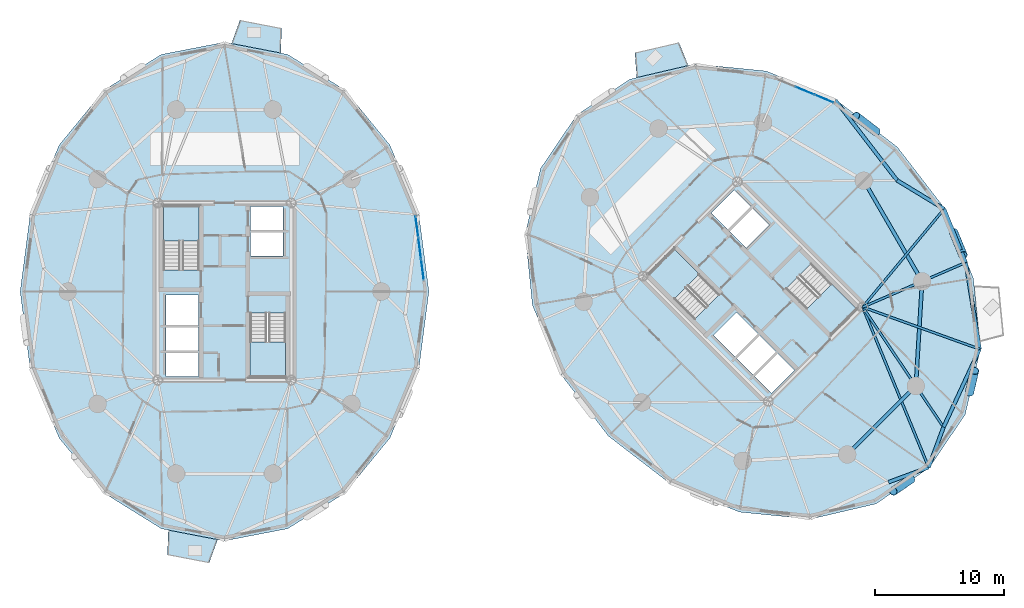
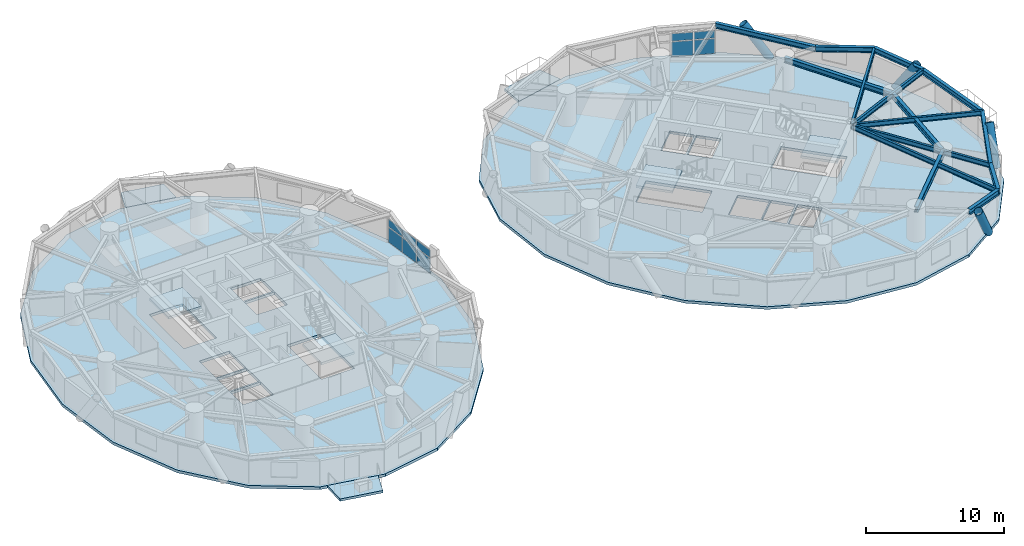
# One storey, part 7 of 17: 15 beams, 10 plates, 9 slabs, 4 members, 6 elements without a shape of their own.
"""IFC4 building model written with IfcOpenShell, lengths in metres."""

from ifc_helpers import new_model, si_unit, direction, frame, origin, origin_2d, place, context, subcontext, project, spatial, polyline, rectangle, hollow_circle, i_section, outline, extrude, source, transform, mapped, material, layer, layer_set, material_profile, profile_set, type_object, element, aggregate, save


model = new_model("IFC4")

# Units and contexts
model_context = context("Model", 3, precision=1e-05, world=origin(), true_north=direction((0.0, 1.0)))
body_context = subcontext(model_context, "Body", "Model", "MODEL_VIEW")
ifc_project = project(units=[si_unit("LENGTHUNIT", "METRE"), si_unit("AREAUNIT", "SQUARE_METRE"), si_unit("VOLUMEUNIT", "CUBIC_METRE"), si_unit("PLANEANGLEUNIT", "RADIAN"), si_unit("MASSUNIT", "GRAM", prefix="KILO")], contexts=[model_context])

# Site, building, storey
site_placement = place(None, origin())
site = spatial("IfcSite", under=ifc_project, at=site_placement, CompositionType="ELEMENT")
building_placement = place(site_placement, origin())
building = spatial("IfcBuilding", under=site, at=building_placement, Name="Cununo Teusaquillo Station Towers", CompositionType="ELEMENT")
storey_placement = place(building_placement, frame((0.0, 0.0, 96.340087890625)))
storey = spatial("IfcBuildingStorey", under=building, at=storey_placement, Name="L30", CompositionType="ELEMENT", Elevation=96.340087890625)

# Beams
ifc_material_1 = material(Name="Steel ASTM A572 Grade 50", Category="steel")
ifc_material_profile_1 = material_profile(ifc_material_1, i_section(OverallWidth=0.180908203125, OverallDepth=0.4169921875, WebThickness=0.010986328125, FlangeThickness=0.018310546875, FilletRadius=0.012939453125, at=origin_2d()), Name="W16X57")
ifc_profile_set_1 = profile_set([ifc_material_profile_1], Name="Steel ASTM A572 Grade 50")
beam_type_1 = type_object("IfcBeamType", Name="BM-JOIST-1", PredefinedType="JOIST", material=ifc_profile_set_1)
beam_1_placement = place(storey_placement, frame((66.024169921875, 23.29443359375, 2.46142578125), z_axis=(0.380485864505, -0.924786735908, 0.0), x_axis=(0.924786735908, 0.380485864505, 0.0)))
element("IfcBeam", 1, at=beam_1_placement, inside=storey, type_object=beam_type_1, Name="L30 Tower B Radial Spandrel Joist V15", PredefinedType="JOIST", context=body_context, shape_type="SweptSolid", body=[
    extrude(i_section(OverallWidth=0.180908203125, OverallDepth=0.4169921875, WebThickness=0.010986328125, FlangeThickness=0.018310546875, FilletRadius=0.012939453125, at=origin_2d()), origin(), (0.0, 0.0, 1.0), 13.44580078125),
])
beam_2_placement = place(storey_placement, frame((66.024169921875, 23.29443359375, 2.46142578125), z_axis=(0.941082771055, -0.338176312038, 0.0), x_axis=(0.338176312038, 0.941082771055, 0.0)))
element("IfcBeam", 2, at=beam_2_placement, inside=storey, type_object=beam_type_1, Name="L30 Tower B Radial Spandrel Joist V17", PredefinedType="JOIST", context=body_context, shape_type="SweptSolid", body=[
    extrude(i_section(OverallWidth=0.180908203125, OverallDepth=0.4169921875, WebThickness=0.010986328125, FlangeThickness=0.018310546875, FilletRadius=0.012939453125, at=origin_2d()), origin(), (0.0, 0.0, 1.0), 9.646484375),
])
beam_3_placement = place(storey_placement, frame((66.024169921875, 23.29443359375, 2.46142578125), z_axis=(0.638372238196, 0.769727799615, 0.0), x_axis=(-0.769727799615, 0.638372238196, 0.0)))
element("IfcBeam", 3, at=beam_3_placement, inside=storey, type_object=beam_type_1, Name="L30 Tower B Radial Spandrel Joist V19", PredefinedType="JOIST", context=body_context, shape_type="SweptSolid", body=[
    extrude(i_section(OverallWidth=0.180908203125, OverallDepth=0.4169921875, WebThickness=0.010986328125, FlangeThickness=0.018310546875, FilletRadius=0.012939453125, at=origin_2d()), origin(), (0.0, 0.0, 1.0), 9.895263671875),
])
ifc_material_2 = material(Name="Steel ASTM A572 Grade 50", Category="steel")
ifc_material_profile_2 = material_profile(ifc_material_2, i_section(OverallWidth=0.180908203125, OverallDepth=0.4169921875, WebThickness=0.010986328125, FlangeThickness=0.018310546875, FilletRadius=0.012939453125, at=origin_2d()), Name="W16X57")
ifc_profile_set_2 = profile_set([ifc_material_profile_2], Name="Steel ASTM A572 Grade 50")
beam_type_2 = type_object("IfcBeamType", Name="BM-RAD-G2", PredefinedType="BEAM", material=ifc_profile_set_2)
beam_4_placement = place(storey_placement, frame((66.024169921875, 23.29443359375, 2.46142578125), z_axis=(0.558572297481, -0.82945583878, 0.0), x_axis=(0.82945583878, 0.558572297481, 0.0)))
element("IfcBeam", 4, at=beam_4_placement, inside=storey, type_object=beam_type_2, Name="L30 Tower B Continuous Overhanging Radial Girder 09", PredefinedType="BEAM", context=body_context, shape_type="SweptSolid", body=[
    extrude(i_section(OverallWidth=0.180908203125, OverallDepth=0.4169921875, WebThickness=0.010986328125, FlangeThickness=0.018310546875, FilletRadius=0.012939453125, at=origin_2d()), origin(), (0.0, 0.0, 1.0), 11.22998046875),
])
beam_5_placement = place(storey_placement, frame((66.024169921875, 23.29443359375, 2.46142578125), z_axis=(0.917654733344, 0.397378648609, 0.0), x_axis=(-0.397378648609, 0.917654733344, 0.0)))
element("IfcBeam", 5, at=beam_5_placement, inside=storey, type_object=beam_type_2, Name="L30 Tower B Continuous Overhanging Radial Girder 10", PredefinedType="BEAM", context=body_context, shape_type="SweptSolid", body=[
    extrude(i_section(OverallWidth=0.180908203125, OverallDepth=0.4169921875, WebThickness=0.010986328125, FlangeThickness=0.018310546875, FilletRadius=0.012939453125, at=origin_2d()), origin(), (0.0, 0.0, 1.0), 8.71484375),
])
ifc_material_3 = material(Name="Steel ASTM A572 Grade 50", Category="steel")
ifc_material_profile_3 = material_profile(ifc_material_3, i_section(OverallWidth=0.280029296875, OverallDepth=0.462890625, WebThickness=0.0107421875, FlangeThickness=0.017333984375, FilletRadius=0.013916015625, at=origin_2d()), Name="W18X76")
ifc_profile_set_3 = profile_set([ifc_material_profile_3], Name="Steel ASTM A572 Grade 50")
beam_type_3 = type_object("IfcBeamType", Name="BM-RING-Z2", PredefinedType="SPANDREL", material=ifc_profile_set_3)
beam_6_placement = place(storey_placement, frame((64.826904296875, 11.853759765625, 2.4384765625), z_axis=(0.707106781187, 0.707106781187, 0.0), x_axis=(-0.707106781187, 0.707106781187, 0.0)))
element("IfcBeam", 6, at=beam_6_placement, inside=storey, type_object=beam_type_3, Name="L30 Tower B Structural Column Ring Girder 08", PredefinedType="SPANDREL", context=body_context, shape_type="SweptSolid", body=[
    extrude(i_section(OverallWidth=0.280029296875, OverallDepth=0.462890625, WebThickness=0.0107421875, FlangeThickness=0.017333984375, FilletRadius=0.013916015625, at=origin_2d()), origin(), (0.0, 0.0, 1.0), 7.522705078125),
])
beam_7_placement = place(storey_placement, frame((70.146240234375, 17.173095703125, 2.4384765625), z_axis=(0.06012979176, 0.998190567048, 0.0), x_axis=(-0.998190567048, 0.06012979176, 0.0)))
element("IfcBeam", 7, at=beam_7_placement, inside=storey, type_object=beam_type_3, Name="L30 Tower B Structural Column Ring Girder 09", PredefinedType="SPANDREL", context=body_context, shape_type="SweptSolid", body=[
    extrude(i_section(OverallWidth=0.280029296875, OverallDepth=0.462890625, WebThickness=0.0107421875, FlangeThickness=0.017333984375, FilletRadius=0.013916015625, at=origin_2d()), origin(), (0.0, 0.0, 1.0), 8.132568359375),
])
beam_8_placement = place(storey_placement, frame((70.63525390625, 25.291015625, 2.4384765625), z_axis=(-0.501311121078, 0.865267103202, 0.0), x_axis=(-0.865267103202, -0.501311121078, 0.0)))
element("IfcBeam", 8, at=beam_8_placement, inside=storey, type_object=beam_type_3, Name="L30 Tower B Structural Column Ring Girder 10", PredefinedType="SPANDREL", context=body_context, shape_type="SweptSolid", body=[
    extrude(i_section(OverallWidth=0.280029296875, OverallDepth=0.462890625, WebThickness=0.0107421875, FlangeThickness=0.017333984375, FilletRadius=0.013916015625, at=origin_2d()), origin(), (0.0, 0.0, 1.0), 9.032958984375),
])
beam_9_placement = place(storey_placement, frame((68.694580078125, 33.12890625, 2.4384765625), z_axis=(-0.610100441726, 0.792324082056, 0.0), x_axis=(-0.792324082056, -0.610100441726, 0.0)))
element("IfcBeam", 9, at=beam_9_placement, inside=storey, type_object=beam_type_3, Name="L30 Tower B Spandrel Ring Beam 01", PredefinedType="SPANDREL", context=body_context, shape_type="SweptSolid", body=[
    extrude(i_section(OverallWidth=0.280029296875, OverallDepth=0.462890625, WebThickness=0.0107421875, FlangeThickness=0.017333984375, FilletRadius=0.013916015625, at=origin_2d()), origin(), (0.0, 0.0, 1.0), 7.84033203125),
])
for number, where, z_axis, x_axis, name in (
    (10, (68.020263671875, 9.703125, 2.4384765625), (0.937628334414, 0.347639333943, 0.0), (-0.347639333943, 0.937628334414, 0.0), "L30 Tower B Spandrel Ring Beam 15"),
    (11, (71.14013671875, 10.85986328125, 2.4384765625), (0.347639333943, 0.937628334414, 0.0), (-0.937628334414, 0.347639333943, 0.0), "L30 Tower B Spandrel Ring Beam 16"),
):
    element("IfcBeam", number, at=place(storey_placement, frame(where, z_axis=z_axis, x_axis=x_axis)), inside=storey, type_object=beam_type_3, Name=name, PredefinedType="SPANDREL", context=body_context, shape_type="SweptSolid", body=[
        extrude(i_section(OverallWidth=0.280029296875, OverallDepth=0.462890625, WebThickness=0.0107421875, FlangeThickness=0.017333984375, FilletRadius=0.013916015625, at=origin_2d()), origin(), (0.0, 0.0, 1.0), 3.327392578125),
    ])
beam_10_placement = place(storey_placement, frame((72.296875, 13.979736328125, 2.4384765625), z_axis=(0.420535961689, 0.907275870354, 0.0), x_axis=(-0.907275870354, 0.420535961689, 0.0)))
element("IfcBeam", 12, at=beam_10_placement, inside=storey, type_object=beam_type_3, Name="L30 Tower B Spandrel Ring Beam 17", PredefinedType="SPANDREL", context=body_context, shape_type="SweptSolid", body=[
    extrude(i_section(OverallWidth=0.280029296875, OverallDepth=0.462890625, WebThickness=0.0107421875, FlangeThickness=0.017333984375, FilletRadius=0.013916015625, at=origin_2d()), origin(), (0.0, 0.0, 1.0), 6.671142578125),
])
beam_11_placement = place(storey_placement, frame((75.102294921875, 20.0322265625, 2.4384765625), z_axis=(-0.158671232312, 0.987331474246, 0.0), x_axis=(-0.987331474246, -0.158671232312, 0.0)))
element("IfcBeam", 13, at=beam_11_placement, inside=storey, type_object=beam_type_3, Name="L30 Tower B Spandrel Ring Beam 18", PredefinedType="SPANDREL", context=body_context, shape_type="SweptSolid", body=[
    extrude(i_section(OverallWidth=0.280029296875, OverallDepth=0.462890625, WebThickness=0.0107421875, FlangeThickness=0.017333984375, FilletRadius=0.013916015625, at=origin_2d()), origin(), (0.0, 0.0, 1.0), 6.8115234375),
])
beam_12_placement = place(storey_placement, frame((74.021484375, 26.757568359375, 2.4384765625), z_axis=(-0.375042266631, 0.927007712072, 0.0), x_axis=(-0.927007712072, -0.375042266631, 0.0)))
element("IfcBeam", 14, at=beam_12_placement, inside=storey, type_object=beam_type_3, Name="L30 Tower B Spandrel Ring Beam 19", PredefinedType="SPANDREL", context=body_context, shape_type="SweptSolid", body=[
    extrude(i_section(OverallWidth=0.280029296875, OverallDepth=0.462890625, WebThickness=0.0107421875, FlangeThickness=0.017333984375, FilletRadius=0.013916015625, at=origin_2d()), origin(), (0.0, 0.0, 1.0), 4.480712890625),
])
beam_13_placement = place(storey_placement, frame((72.341064453125, 30.9111328125, 2.4384765625), z_axis=(-0.854388492444, 0.519634779416, 0.0), x_axis=(-0.519634779416, -0.854388492444, 0.0)))
element("IfcBeam", 15, at=beam_13_placement, inside=storey, type_object=beam_type_3, Name="L30 Tower B Spandrel Ring Beam 20", PredefinedType="SPANDREL", context=body_context, shape_type="SweptSolid", body=[
    extrude(i_section(OverallWidth=0.280029296875, OverallDepth=0.462890625, WebThickness=0.0107421875, FlangeThickness=0.017333984375, FilletRadius=0.013916015625, at=origin_2d()), origin(), (0.0, 0.0, 1.0), 4.26806640625),
])

# Members
ifc_material_4 = material(Name="Steel EN 10025-2 S355J2", Category="steel")
ifc_material_profile_4 = material_profile(ifc_material_4, hollow_circle(Radius=0.330078125, WallThickness=0.02490234375, at=origin_2d()), Name="CHS 660x25")
ifc_profile_set_4 = profile_set([ifc_material_profile_4], Name="Steel EN 10025-2 S355J2")
member_type = type_object("IfcMemberType", Name="MBR-DIAG-Z2", PredefinedType="BRACE", material=ifc_profile_set_4)
member_1_placement = place(storey_placement, frame((67.085693359375, 36.895751953125, -0.14013671875), z_axis=(-0.449277419576, 0.346044496653, 0.823652236442), x_axis=(-0.610205273886, -0.792243348803, 0.0)))
element("IfcMember", 16, at=member_1_placement, inside=storey, type_object=member_type, Name="L30 Tower B Folded-Zigzag Diagrid Tube C00", PredefinedType="BRACE", context=body_context, shape_type="SweptSolid", body=[
    extrude(hollow_circle(Radius=0.330078125, WallThickness=0.02490234375, at=origin_2d()), origin(), (0.0, 0.0, 1.0), 3.533203125),
])
member_2_placement = place(storey_placement, frame((69.7666015625, 9.931396484375, -0.14013671875), z_axis=(-0.410046606979, -0.277155057731, 0.868934320924), x_axis=(0.559991322854, -0.828498472134, 0.0)))
element("IfcMember", 17, at=member_2_placement, inside=storey, type_object=member_type, Name="L30 Tower B Folded-Zigzag Diagrid Tube C14", PredefinedType="BRACE", context=body_context, shape_type="SweptSolid", body=[
    extrude(hollow_circle(Radius=0.330078125, WallThickness=0.02490234375, at=origin_2d()), origin(), (0.0, 0.0, 1.0), 3.34912109375),
])
member_3_placement = place(storey_placement, frame((74.317626953125, 16.664306640625, -0.14013671875), z_axis=(0.115899426578, 0.497494862811, 0.859689586069), x_axis=(-0.973920299704, 0.226890391653, 0.0)))
element("IfcMember", 18, at=member_3_placement, inside=storey, type_object=member_type, Name="L30 Tower B Folded-Zigzag Diagrid Tube C16", PredefinedType="BRACE", context=body_context, shape_type="SweptSolid", body=[
    extrude(hollow_circle(Radius=0.330078125, WallThickness=0.02490234375, at=origin_2d()), origin(), (0.0, 0.0, 1.0), 3.385009765625),
])
member_4_placement = place(storey_placement, frame((73.07958984375, 29.114501953125, -0.14013671875), z_axis=(0.211081064796, -0.513432884221, 0.831764063593), x_axis=(0.924888817599, 0.380237656053, 0.0)))
element("IfcMember", 19, at=member_4_placement, inside=storey, type_object=member_type, Name="L30 Tower B Folded-Zigzag Diagrid Tube C18", PredefinedType="BRACE", context=body_context, shape_type="SweptSolid", body=[
    extrude(hollow_circle(Radius=0.330078125, WallThickness=0.02490234375, at=origin_2d()), origin(), (0.0, 0.0, 1.0), 3.498779296875),
])

# Slabs
ifc_material_5 = material(Name="Concrete C50/60", Category="concrete")
ifc_layer_1 = layer(ifc_material_5, 0.2099609375)
ifc_layer_set_1 = layer_set([ifc_layer_1], Name="Concrete C50/60")
slab_type_1 = type_object("IfcSlabType", Name="SLB-BAL-210", PredefinedType="FLOOR", material=ifc_layer_set_1)
slab_1_placement = place(storey_placement, frame((0.0, 0.0, -0.210205078125)))
element("IfcSlab", 20, at=slab_1_placement, inside=storey, type_object=slab_type_1, Name="L30 Tower A Sky Garden Terrace Slab 1", PredefinedType="FLOOR", context=body_context, shape_type="SweptSolid", body=[
    extrude(outline(polyline([(20.8623046875, 43.01220703125), (17.041015625, 43.75048828125), (17.69873046875, 45.573974609375), (20.930908203125, 44.94921875), (20.8623046875, 43.01220703125)])), origin(), (0.0, 0.0, 1.0), 0.210205078125),
])
slab_2_placement = place(storey_placement, frame((0.0, 0.0, -0.210205078125)))
element("IfcSlab", 21, at=slab_2_placement, inside=storey, type_object=slab_type_1, Name="L30 Tower A Tree Balcony Slab 2", PredefinedType="FLOOR", context=body_context, shape_type="SweptSolid", body=[
    extrude(outline(polyline([(12.1376953125, 5.98779296875), (15.958984375, 5.24951171875), (15.30126953125, 3.426025390625), (12.069091796875, 4.05078125), (12.1376953125, 5.98779296875)])), origin(), (0.0, 0.0, 1.0), 0.210205078125),
])
slab_3_placement = place(storey_placement, frame((0.0, 0.0, -0.210205078125)))
element("IfcSlab", 22, at=slab_3_placement, inside=storey, type_object=slab_type_1, Name="L30 Tower B Sky Garden Terrace Slab 1", PredefinedType="FLOOR", context=body_context, shape_type="SweptSolid", body=[
    extrude(outline(polyline([(52.486083984375, 42.04150390625), (48.4873046875, 41.1083984375), (48.344482421875, 43.04150390625), (51.7587890625, 43.83837890625), (52.486083984375, 42.04150390625)])), origin(), (0.0, 0.0, 1.0), 0.210205078125),
])

# Stair, slab
ifc_material_6 = material(Name="Concrete C50/60", Category="concrete")
stair_type = type_object("IfcStairType", Name="ST-TWR-1300", PredefinedType="HALF_TURN_STAIR", material=ifc_material_6)
stair_1_placement = place(storey_placement, origin())
stair_1 = element("IfcStair", 23, at=stair_1_placement, inside=storey, type_object=stair_type, Name="L30 Tower A Protected Core Exit Stair 1", PredefinedType="HALF_TURN_STAIR")
ifc_material_7 = material(Name="Concrete C50/60", Category="concrete")
ifc_layer_2 = layer(ifc_material_7, 0.199951171875)
ifc_layer_set_2 = layer_set([ifc_layer_2], Name="Concrete C50/60")
slab_type_2 = type_object("IfcSlabType", Name="SLB-STAIR-LND", PredefinedType="LANDING", material=ifc_layer_set_2)
slab_4_placement = place(storey_placement, frame((0.0, 0.0, 1.2548828125)))
slab_4 = element("IfcSlab", 24, at=slab_4_placement, type_object=slab_type_2, Name="ST-T1-1 landing 1", PredefinedType="LANDING", context=body_context, shape_type="SweptSolid", body=[
    extrude(outline(polyline([(14.52001953125, 28.409912109375), (14.52001953125, 31.159912109375), (11.760009765625, 31.159912109375), (11.760009765625, 28.409912109375), (14.52001953125, 28.409912109375)])), origin(), (0.0, 0.0, 1.0), 0.199951171875),
])
aggregate(stair_1, [slab_4])

stair_2_placement = place(storey_placement, origin())
stair_2 = element("IfcStair", 25, at=stair_2_placement, inside=storey, type_object=stair_type, Name="L30 Tower A Protected Core Exit Stair 2", PredefinedType="HALF_TURN_STAIR")
slab_5_placement = place(storey_placement, frame((0.0, 0.0, 1.2548828125)))
slab_5 = element("IfcSlab", 26, at=slab_5_placement, type_object=slab_type_2, Name="ST-T1-2 landing 1", PredefinedType="LANDING", context=body_context, shape_type="SweptSolid", body=[
    extrude(outline(polyline([(18.47998046875, 20.590087890625), (18.47998046875, 17.840087890625), (21.239990234375, 17.840087890625), (21.239990234375, 20.590087890625), (18.47998046875, 20.590087890625)])), origin(), (0.0, 0.0, 1.0), 0.199951171875),
])
aggregate(stair_2, [slab_5])

stair_3_placement = place(storey_placement, origin())
stair_3 = element("IfcStair", 27, at=stair_3_placement, inside=storey, type_object=stair_type, Name="L30 Tower B Protected Core Exit Stair 1", PredefinedType="HALF_TURN_STAIR")
slab_6_placement = place(storey_placement, frame((0.0, 0.0, 1.2548828125)))
slab_6 = element("IfcSlab", 28, at=slab_6_placement, type_object=slab_type_2, Name="ST-T2-1 landing 1", PredefinedType="LANDING", context=body_context, shape_type="SweptSolid", body=[
    extrude(outline(polyline([(53.335205078125, 25.86474609375), (51.390625, 27.809326171875), (49.43896484375, 25.857666015625), (51.383544921875, 23.9130859375), (53.335205078125, 25.86474609375)])), origin(), (0.0, 0.0, 1.0), 0.199951171875),
])
aggregate(stair_3, [slab_6])

stair_4_placement = place(storey_placement, origin())
stair_4 = element("IfcStair", 29, at=stair_4_placement, inside=storey, type_object=stair_type, Name="L30 Tower B Protected Core Exit Stair 2", PredefinedType="HALF_TURN_STAIR")
slab_7_placement = place(storey_placement, frame((0.0, 0.0, 1.2548828125)))
slab_7 = element("IfcSlab", 30, at=slab_7_placement, type_object=slab_type_2, Name="ST-T2-2 landing 1", PredefinedType="LANDING", context=body_context, shape_type="SweptSolid", body=[
    extrude(outline(polyline([(61.664794921875, 23.13525390625), (63.609375, 21.190673828125), (65.56103515625, 23.142333984375), (63.616455078125, 25.0869140625), (61.664794921875, 23.13525390625)])), origin(), (0.0, 0.0, 1.0), 0.199951171875),
])
aggregate(stair_4, [slab_7])

# Slabs
ifc_material_8 = material(Name="Concrete C40/50", Category="concrete")
ifc_layer_3 = layer(ifc_material_8, 0.239990234375)
ifc_layer_set_3 = layer_set([ifc_layer_3], Name="Concrete C40/50")
slab_type_3 = type_object("IfcSlabType", Name="SLB-Z2-240", PredefinedType="FLOOR", material=ifc_layer_set_3)
slab_8_placement = place(storey_placement, frame((0.0, 0.0, -0.239990234375)))
element("IfcSlab", 31, at=slab_8_placement, inside=storey, type_object=slab_type_3, Name="L30 Tower A Floor Slab", PredefinedType="FLOOR", context=body_context, shape_type="SweptSolid", body=[
    extrude(outline(polyline([(32.361083984375, 24.5), (31.584716796875, 30.4794921875), (29.331787109375, 35.87353515625), (25.822998046875, 40.154541015625), (21.4013671875, 42.90283203125), (16.5, 43.85009765625), (11.5986328125, 42.90283203125), (7.177001953125, 40.154541015625), (3.668212890625, 35.87353515625), (1.415283203125, 30.4794921875), (0.638916015625, 24.5), (1.415283203125, 18.5205078125), (3.668212890625, 13.12646484375), (7.177001953125, 8.845458984375), (11.5986328125, 6.09716796875), (16.5, 5.14990234375), (21.4013671875, 6.09716796875), (25.822998046875, 8.845458984375), (29.331787109375, 13.12646484375), (31.584716796875, 18.5205078125), (32.361083984375, 24.5)]), holes=[polyline([(14.52001953125, 26.176025390625), (14.52001953125, 31.159912109375), (11.760009765625, 31.159912109375), (11.760009765625, 26.176025390625), (14.52001953125, 26.176025390625)]), polyline([(18.47998046875, 22.823974609375), (18.47998046875, 17.840087890625), (21.239990234375, 17.840087890625), (21.239990234375, 22.823974609375), (18.47998046875, 22.823974609375)]), polyline([(11.949951171875, 21.85009765625), (14.47998046875, 21.85009765625), (14.47998046875, 24.25), (11.949951171875, 24.25), (11.949951171875, 21.85009765625)]), polyline([(11.949951171875, 17.89990234375), (14.47998046875, 17.89990234375), (14.47998046875, 19.75), (11.949951171875, 19.75), (11.949951171875, 17.89990234375)]), polyline([(11.949951171875, 19.89990234375), (14.47998046875, 19.89990234375), (14.47998046875, 21.75), (11.949951171875, 21.75), (11.949951171875, 19.89990234375)]), polyline([(18.52001953125, 27.25), (21.050048828125, 27.25), (21.050048828125, 29.10009765625), (18.52001953125, 29.10009765625), (18.52001953125, 27.25)]), polyline([(18.52001953125, 29.25), (21.050048828125, 29.25), (21.050048828125, 31.10009765625), (18.52001953125, 31.10009765625), (18.52001953125, 29.25)])]), origin(), (0.0, 0.0, 1.0), 0.239990234375),
])
slab_9_placement = place(storey_placement, frame((0.0, 0.0, -0.239990234375)))
element("IfcSlab", 32, at=slab_9_placement, inside=storey, type_object=slab_type_3, Name="L30 Tower B Floor Slab", PredefinedType="FLOOR", context=body_context, shape_type="SweptSolid", body=[
    extrude(outline(polyline([(68.71533203125, 35.71533203125), (63.938232421875, 39.39453125), (58.531005859375, 41.61572265625), (53.02294921875, 42.16162109375), (47.952880859375, 40.978515625), (43.8173828125, 38.1826171875), (41.021484375, 34.047119140625), (39.83837890625, 28.97705078125), (40.38427734375, 23.468994140625), (42.60546875, 18.061767578125), (46.28466796875, 13.28466796875), (51.061767578125, 9.60546875), (56.468994140625, 7.38427734375), (61.97705078125, 6.83837890625), (67.047119140625, 8.021484375), (71.1826171875, 10.8173828125), (73.978515625, 14.952880859375), (75.16162109375, 20.02294921875), (74.61572265625, 25.531005859375), (72.39453125, 30.938232421875), (68.71533203125, 35.71533203125)]), holes=[polyline([(54.914794921875, 24.28515625), (51.390625, 27.809326171875), (49.43896484375, 25.857666015625), (52.963134765625, 22.33349609375), (54.914794921875, 24.28515625)]), polyline([(60.085205078125, 24.71484375), (63.609375, 21.190673828125), (65.56103515625, 23.142333984375), (62.036865234375, 26.66650390625), (60.085205078125, 24.71484375)]), polyline([(56.156494140625, 19.40869140625), (57.945556640625, 21.19775390625), (56.248291015625, 22.89501953125), (54.45947265625, 21.10595703125), (56.156494140625, 19.40869140625)]), polyline([(58.94970703125, 16.61572265625), (60.738525390625, 18.40478515625), (59.430419921875, 19.712890625), (57.641357421875, 17.923828125), (58.94970703125, 16.61572265625)]), polyline([(57.535400390625, 18.030029296875), (59.32421875, 19.819091796875), (58.01611328125, 21.127197265625), (56.227294921875, 19.338134765625), (57.535400390625, 18.030029296875)]), polyline([(56.98388671875, 27.872802734375), (58.772705078125, 29.661865234375), (57.464599609375, 30.969970703125), (55.67578125, 29.180908203125), (56.98388671875, 27.872802734375)]), polyline([(55.569580078125, 29.287109375), (57.358642578125, 31.076171875), (56.05029296875, 32.38427734375), (54.261474609375, 30.59521484375), (55.569580078125, 29.287109375)])]), origin(), (0.0, 0.0, 1.0), 0.239990234375),
])

# Curtain wall, plates
ifc_material_9 = material(Name="Ceramic-fritted dark low-E double glazing", Category="glass")
ifc_layer_4 = layer(ifc_material_9, 0.179931640625)
ifc_layer_set_4 = layer_set([ifc_layer_4], Name="Ceramic-fritted dark low-E double glazing")
curtain_wall_type = type_object("IfcCurtainWallType", Name="CW-SYS-04", PredefinedType="USERDEFINED", material=ifc_layer_set_4)
curtain_wall_1_placement = place(storey_placement, origin())
curtain_wall_1 = element("IfcCurtainWall", 33, at=curtain_wall_1_placement, inside=storey, type_object=curtain_wall_type, Name="L30 Tower A Facade Curtain Wall C00", ObjectType="FRITTED GLAZING", PredefinedType="USERDEFINED")
ifc_material_10 = material(Name="Ceramic-fritted dark low-E double glazing", Category="glass")
ifc_layer_5 = layer(ifc_material_10, 0.028076171875)
ifc_layer_set_5 = layer_set([ifc_layer_5], Name="Ceramic-fritted dark low-E double glazing")
plate_type = type_object("IfcPlateType", Name="CWP-FRIT-28", PredefinedType="CURTAIN_PANEL", material=ifc_layer_set_5)
shared_shape_1 = source(origin(), body_context, "Body", "SweptSolid", [
    extrude(rectangle(XDim=1.59228515625, YDim=0.028076171875, at=origin_2d()), origin(), (0.0, 0.0, 1.0), 1.31103515625),
])
plate_1_placement = place(storey_placement, frame((31.429443359375, 29.533935546875, 0.06982421875), z_axis=(0.0, 0.0, 1.0), x_axis=(0.128335852387, -0.991730764367, 0.0)))
plate_1 = element("IfcPlate", 34, at=plate_1_placement, type_object=plate_type, Name="CW-04 panel 1.1", PredefinedType="CURTAIN_PANEL", context=body_context, shape_type="MappedRepresentation", body=[
    mapped(shared_shape_1, transform((0.0, 0.0, 0.0), x_axis=(1.0, 0.0, 0.0), y_axis=(0.0, 1.0, 0.0), z_axis=(0.0, 0.0, 1.0), scale=1.0)),
])
plate_2_placement = place(storey_placement, frame((31.86083984375, 26.201904296875, 0.06982421875), z_axis=(0.0, 0.0, 1.0), x_axis=(0.128335852387, -0.991730764367, 0.0)))
plate_2 = element("IfcPlate", 35, at=plate_2_placement, type_object=plate_type, Name="CW-04 panel 3.1", PredefinedType="CURTAIN_PANEL", context=body_context, shape_type="MappedRepresentation", body=[
    mapped(shared_shape_1, transform((0.0, 0.0, 0.0), x_axis=(1.0, 0.0, 0.0), y_axis=(0.0, 1.0, 0.0), z_axis=(0.0, 0.0, 1.0), scale=1.0)),
])
shared_shape_2 = source(origin(), body_context, "Body", "SweptSolid", [
    extrude(rectangle(XDim=1.59228515625, YDim=0.028076171875, at=origin_2d()), origin(), (0.0, 0.0, 1.0), 0.657958984375),
])
plate_3_placement = place(storey_placement, frame((31.429443359375, 29.533935546875, 1.451171875), z_axis=(0.0, 0.0, 1.0), x_axis=(0.128335852387, -0.991730764367, 0.0)))
plate_3 = element("IfcPlate", 36, at=plate_3_placement, type_object=plate_type, Name="CW-04 panel 1.2", PredefinedType="CURTAIN_PANEL", context=body_context, shape_type="MappedRepresentation", body=[
    mapped(shared_shape_2, transform((0.0, 0.0, 0.0), x_axis=(1.0, 0.0, 0.0), y_axis=(0.0, 1.0, 0.0), z_axis=(0.0, 0.0, 1.0), scale=1.0)),
])
plate_4_placement = place(storey_placement, frame((31.86083984375, 26.201904296875, 1.451171875), z_axis=(0.0, 0.0, 1.0), x_axis=(0.128335852387, -0.991730764367, 0.0)))
plate_4 = element("IfcPlate", 37, at=plate_4_placement, type_object=plate_type, Name="CW-04 panel 3.2", PredefinedType="CURTAIN_PANEL", context=body_context, shape_type="MappedRepresentation", body=[
    mapped(shared_shape_2, transform((0.0, 0.0, 0.0), x_axis=(1.0, 0.0, 0.0), y_axis=(0.0, 1.0, 0.0), z_axis=(0.0, 0.0, 1.0), scale=1.0)),
])
shared_shape_3 = source(origin(), body_context, "Body", "SweptSolid", [
    extrude(rectangle(XDim=1.62744140625, YDim=0.028076171875, at=origin_2d()), origin(), (0.0, 0.0, 1.0), 1.31103515625),
])
plate_5_placement = place(storey_placement, frame((31.645263671875, 27.867919921875, 0.06982421875), z_axis=(0.0, 0.0, 1.0), x_axis=(0.128335852387, -0.991730764367, 0.0)))
plate_5 = element("IfcPlate", 38, at=plate_5_placement, type_object=plate_type, Name="CW-04 panel 2.1", PredefinedType="CURTAIN_PANEL", context=body_context, shape_type="MappedRepresentation", body=[
    mapped(shared_shape_3, transform((0.0, 0.0, 0.0), x_axis=(1.0, 0.0, 0.0), y_axis=(0.0, 1.0, 0.0), z_axis=(0.0, 0.0, 1.0), scale=1.0)),
])
shared_shape_4 = source(origin(), body_context, "Body", "SweptSolid", [
    extrude(rectangle(XDim=1.62744140625, YDim=0.028076171875, at=origin_2d()), origin(), (0.0, 0.0, 1.0), 0.657958984375),
])
plate_6_placement = place(storey_placement, frame((31.645263671875, 27.867919921875, 1.451171875), z_axis=(0.0, 0.0, 1.0), x_axis=(0.128335852387, -0.991730764367, 0.0)))
plate_6 = element("IfcPlate", 39, at=plate_6_placement, type_object=plate_type, Name="CW-04 panel 2.2", PredefinedType="CURTAIN_PANEL", context=body_context, shape_type="MappedRepresentation", body=[
    mapped(shared_shape_4, transform((0.0, 0.0, 0.0), x_axis=(1.0, 0.0, 0.0), y_axis=(0.0, 1.0, 0.0), z_axis=(0.0, 0.0, 1.0), scale=1.0)),
])
aggregate(curtain_wall_1, [plate_1, plate_3, plate_5, plate_6, plate_2, plate_4])

curtain_wall_2_placement = place(storey_placement, origin())
curtain_wall_2 = element("IfcCurtainWall", 40, at=curtain_wall_2_placement, inside=storey, type_object=curtain_wall_type, Name="L30 Tower B Facade Curtain Wall C01", ObjectType="FRITTED GLAZING", PredefinedType="USERDEFINED")
shared_shape_5 = source(origin(), body_context, "Body", "SweptSolid", [
    extrude(rectangle(XDim=1.531005859375, YDim=0.028076171875, at=origin_2d()), origin(), (0.0, 0.0, 1.0), 1.31103515625),
])
plate_7_placement = place(storey_placement, frame((63.03857421875, 39.463623046875, 0.06982421875), z_axis=(0.0, 0.0, 1.0), x_axis=(0.924562443652, -0.381030560176, 0.0)))
plate_7 = element("IfcPlate", 41, at=plate_7_placement, type_object=plate_type, Name="CW-04 panel 3.1", PredefinedType="CURTAIN_PANEL", context=body_context, shape_type="MappedRepresentation", body=[
    mapped(shared_shape_5, transform((0.0, 0.0, 0.0), x_axis=(1.0, 0.0, 0.0), y_axis=(0.0, 1.0, 0.0), z_axis=(0.0, 0.0, 1.0), scale=1.0)),
])
shared_shape_6 = source(origin(), body_context, "Body", "SweptSolid", [
    extrude(rectangle(XDim=1.531005859375, YDim=0.028076171875, at=origin_2d()), origin(), (0.0, 0.0, 1.0), 0.657958984375),
])
plate_8_placement = place(storey_placement, frame((63.03857421875, 39.463623046875, 1.451171875), z_axis=(0.0, 0.0, 1.0), x_axis=(0.924562443652, -0.381030560176, 0.0)))
plate_8 = element("IfcPlate", 42, at=plate_8_placement, type_object=plate_type, Name="CW-04 panel 3.2", PredefinedType="CURTAIN_PANEL", context=body_context, shape_type="MappedRepresentation", body=[
    mapped(shared_shape_6, transform((0.0, 0.0, 0.0), x_axis=(1.0, 0.0, 0.0), y_axis=(0.0, 1.0, 0.0), z_axis=(0.0, 0.0, 1.0), scale=1.0)),
])
shared_shape_7 = source(origin(), body_context, "Body", "SweptSolid", [
    extrude(rectangle(XDim=1.566162109375, YDim=0.028076171875, at=origin_2d()), origin(), (0.0, 0.0, 1.0), 1.31103515625),
])
plate_9_placement = place(storey_placement, frame((61.542236328125, 40.080322265625, 0.06982421875), z_axis=(0.0, 0.0, 1.0), x_axis=(0.924562443652, -0.381030560176, 0.0)))
plate_9 = element("IfcPlate", 43, at=plate_9_placement, type_object=plate_type, Name="CW-04 panel 2.1", PredefinedType="CURTAIN_PANEL", context=body_context, shape_type="MappedRepresentation", body=[
    mapped(shared_shape_7, transform((0.0, 0.0, 0.0), x_axis=(1.0, 0.0, 0.0), y_axis=(0.0, 1.0, 0.0), z_axis=(0.0, 0.0, 1.0), scale=1.0)),
])
shared_shape_8 = source(origin(), body_context, "Body", "SweptSolid", [
    extrude(rectangle(XDim=1.566162109375, YDim=0.028076171875, at=origin_2d()), origin(), (0.0, 0.0, 1.0), 0.657958984375),
])
plate_10_placement = place(storey_placement, frame((61.542236328125, 40.080322265625, 1.451171875), z_axis=(0.0, 0.0, 1.0), x_axis=(0.924562443652, -0.381030560176, 0.0)))
plate_10 = element("IfcPlate", 44, at=plate_10_placement, type_object=plate_type, Name="CW-04 panel 2.2", PredefinedType="CURTAIN_PANEL", context=body_context, shape_type="MappedRepresentation", body=[
    mapped(shared_shape_8, transform((0.0, 0.0, 0.0), x_axis=(1.0, 0.0, 0.0), y_axis=(0.0, 1.0, 0.0), z_axis=(0.0, 0.0, 1.0), scale=1.0)),
])
aggregate(curtain_wall_2, [plate_9, plate_10, plate_7, plate_8])

save(model, "model.ifc")
